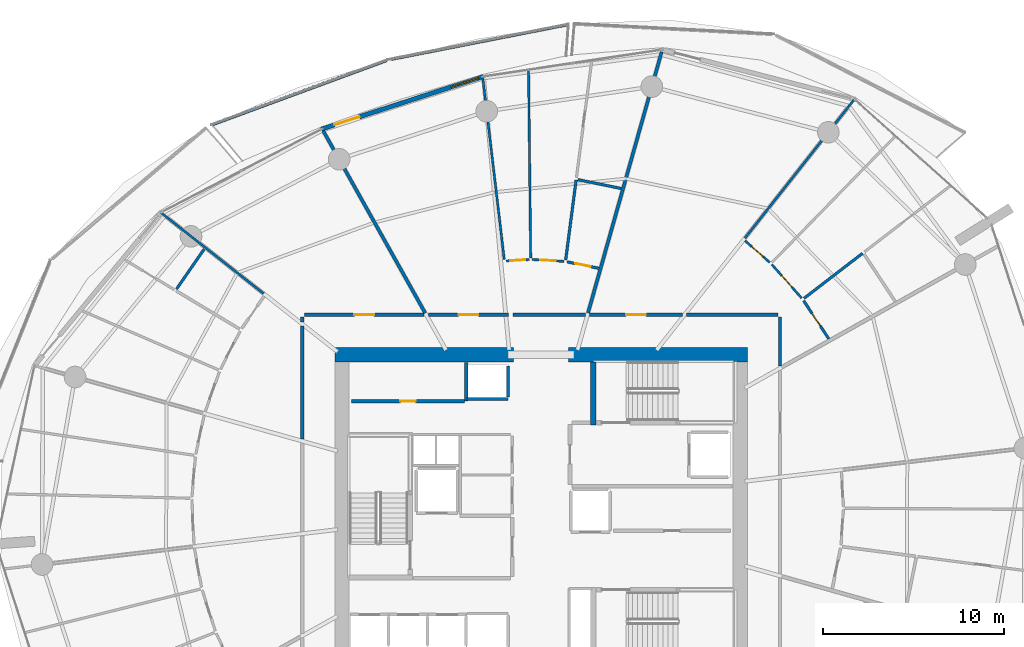
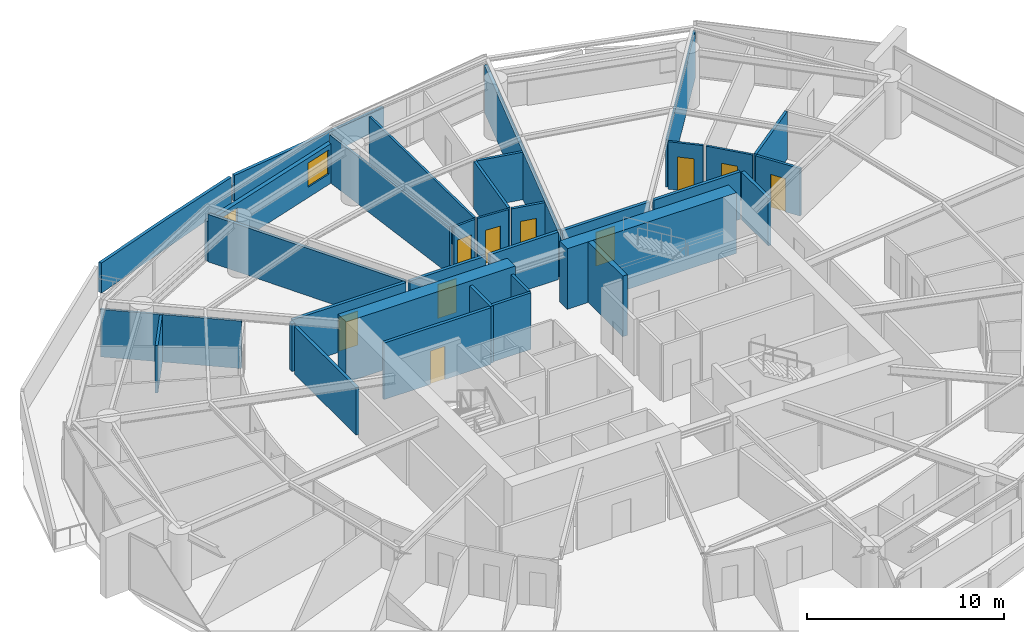
# One storey, part 15 of 23: 34 walls, 11 doors, 1 window, 12 openings.
"""IFC4 building model written with IfcOpenShell, lengths in metres."""

from ifc_helpers import new_model, si_unit, direction, frame, frame_2d, origin, place, context, subcontext, project, spatial, polyline, rectangle, outline, extrude, material, layer, layer_set, type_object, element, fill, save


model = new_model("IFC4")

# Units and contexts
model_context = context("Model", 3, precision=1e-05, world=origin(), true_north=direction((0.0, 1.0)))
body_context = subcontext(model_context, "Body", "Model", "MODEL_VIEW")
ifc_project = project(units=[si_unit("LENGTHUNIT", "METRE"), si_unit("AREAUNIT", "SQUARE_METRE"), si_unit("VOLUMEUNIT", "CUBIC_METRE"), si_unit("PLANEANGLEUNIT", "RADIAN"), si_unit("MASSUNIT", "GRAM", prefix="KILO")], contexts=[model_context])

# Site, building, storey
site_placement = place(None, origin())
site = spatial("IfcSite", under=ifc_project, at=site_placement, CompositionType="ELEMENT")
building_placement = place(site_placement, origin())
building = spatial("IfcBuilding", under=site, at=building_placement, Name="Kazma Halo Residences", CompositionType="ELEMENT")
storey_placement = place(building_placement, frame((0.0, 0.0, 82.64990234375)))
storey = spatial("IfcBuildingStorey", under=building, at=storey_placement, Name="L20", CompositionType="ELEMENT", Elevation=82.64990234375)

# Walls
ifc_material_1 = material(Name="White Concrete C50/60 Balustrade", Category="concrete")
ifc_layer_1 = layer(ifc_material_1, 0.179931640625)
ifc_layer_set_1 = layer_set([ifc_layer_1], Name="White Concrete C50/60 Balustrade")
wall_type_1 = type_object("IfcWallType", Name="WL-BAL-WAVE-180", PredefinedType="PARAPET", material=ifc_layer_set_1)
wall_1_placement = place(storey_placement, frame((49.936279296875, 68.685546875, 0.0), z_axis=(0.0, 0.0, 1.0), x_axis=(-0.98127943736, -0.192589370979, 0.0)))
element("IfcWall", 1, at=wall_1_placement, inside=storey, type_object=wall_type_1, Name="L20 white wave balustrade wall NNW.1", PredefinedType="PARAPET", context=body_context, shape_type="SweptSolid", body=[
    extrude(outline(polyline([(0.0, 0.0), (10.041259765625, 0.0), (10.041259765625, 1.632080078125), (5.0205078125, 1.418212890625), (0.0, 1.233154296875), (0.0, 0.0)])), frame((0.0, 0.08984375, 0.0), z_axis=(0.0, -1.0, 0.0), x_axis=(1.0, 0.0, 0.0)), (0.0, 0.0, 1.0), 0.179931640625),
])
wall_2_placement = place(storey_placement, frame((39.8525390625, 66.687255859375, 0.0), z_axis=(0.0, 0.0, 1.0), x_axis=(-0.938356460989, -0.345669136777, 0.0)))
element("IfcWall", 2, at=wall_2_placement, inside=storey, type_object=wall_type_1, Name="L20 white wave balustrade wall NNW.2", PredefinedType="PARAPET", context=body_context, shape_type="SweptSolid", body=[
    extrude(outline(polyline([(0.0, 0.0), (10.3076171875, 0.0), (10.3076171875, 1.860107421875), (5.15380859375, 1.798095703125), (0.0, 1.632080078125), (0.0, 0.0)])), frame((0.0, 0.08984375, 0.0), z_axis=(0.0, -1.0, 0.0), x_axis=(1.0, 0.0, 0.0)), (0.0, 0.0, 1.0), 0.179931640625),
])
ifc_material_2 = material(Name="Concrete C80/95", Category="concrete")
ifc_layer_2 = layer(ifc_material_2, 0.800048828125)
ifc_layer_set_2 = layer_set([ifc_layer_2], Name="Concrete C80/95")
wall_type_2 = type_object("IfcWallType", Name="WL-CORE-800", PredefinedType="SHEAR", material=ifc_layer_set_2)
wall_3_placement = place(storey_placement, frame((37.0, 50.39990234375, 0.0), z_axis=(0.0, 0.0, 1.0), x_axis=(1.0, 0.0, 0.0)))
element("IfcWall", 3, at=wall_3_placement, inside=storey, type_object=wall_type_2, Name="L20 central core shear wall NW", PredefinedType="SHEAR", context=body_context, shape_type="SweptSolid", body=[
    extrude(rectangle(XDim=9.89990234375, YDim=0.800048828125, at=frame_2d((4.949951171875, 0.0))), origin(), (0.0, 0.0, 1.0), 3.75),
])
wall_4_placement = place(storey_placement, frame((49.949951171875, 50.39990234375, 0.0), z_axis=(0.0, 0.0, 1.0), x_axis=(1.0, 0.0, 0.0)))
element("IfcWall", 4, at=wall_4_placement, inside=storey, type_object=wall_type_2, Name="L20 central core shear wall NE", PredefinedType="SHEAR", context=body_context, shape_type="SweptSolid", body=[
    extrude(rectangle(XDim=9.900146484375, YDim=0.800048828125, at=frame_2d((4.9501953125, 0.0))), origin(), (0.0, 0.0, 1.0), 3.75),
])
ifc_material_3 = material(Name="Concrete C60/75", Category="concrete")
ifc_layer_3 = layer(ifc_material_3, 0.280029296875)
ifc_layer_set_3 = layer_set([ifc_layer_3], Name="Concrete C60/75")
wall_type_3 = type_object("IfcWallType", Name="WL-CORE-ST-280", PredefinedType="SHEAR", material=ifc_layer_set_3)
wall_5_placement = place(storey_placement, frame((51.31005859375, 46.5, 0.0), z_axis=(0.0, 0.0, 1.0), x_axis=(0.0, 1.0, 0.0)))
element("IfcWall", 5, at=wall_5_placement, inside=storey, type_object=wall_type_3, Name="L20 stairwell bearing wall ST02-W", PredefinedType="SHEAR", context=body_context, shape_type="SweptSolid", body=[
    extrude(rectangle(XDim=3.5, YDim=0.280029296875, at=frame_2d((1.75, 0.0))), origin(), (0.0, 0.0, 1.0), 3.75),
])
ifc_material_4 = material(Name="Acoustic Twin-Stud Gypsum")
ifc_layer_4 = layer(ifc_material_4, 0.179931640625)
ifc_layer_set_4 = layer_set([ifc_layer_4], Name="Acoustic Twin-Stud Gypsum")
wall_type_4 = type_object("IfcWallType", Name="WL-DEM-180", PredefinedType="PARTITIONING", material=ifc_layer_set_4)
wall_6_placement = place(storey_placement, frame((51.019287109375, 52.705810546875, 0.0), z_axis=(0.0, 0.0, 1.0), x_axis=(0.271450895995, 0.962452290279, 0.0)))
element("IfcWall", 6, at=wall_6_placement, inside=storey, type_object=wall_type_4, Name="L20 apartment demising radial wall 02", PredefinedType="PARTITIONING", context=body_context, shape_type="SweptSolid", body=[
    extrude(rectangle(XDim=15.014404296875, YDim=0.179931640625, at=frame_2d((7.50732421875, 0.0))), origin(), (0.0, 0.0, 1.0), 2.940185546875),
])
wall_7_placement = place(storey_placement, frame((42.010009765625, 52.696044921875, 0.0), z_axis=(0.0, 0.0, 1.0), x_axis=(-0.488628442553, 0.872491974249, 0.0)))
element("IfcWall", 7, at=wall_7_placement, inside=storey, type_object=wall_type_4, Name="L20 apartment demising radial wall 04", PredefinedType="PARTITIONING", context=body_context, shape_type="SweptSolid", body=[
    extrude(rectangle(XDim=11.563232421875, YDim=0.179931640625, at=frame_2d((5.78173828125, 0.0))), origin(), (0.0, 0.0, 1.0), 2.940185546875),
])

# Wall, opening, door
wall_8_placement = place(storey_placement, frame((41.943603515625, 52.60009765625, 0.0), z_axis=(0.0, 0.0, 1.0), x_axis=(-1.0, 0.0, 0.0)))
wall_8 = element("IfcWall", 8, at=wall_8_placement, inside=storey, type_object=wall_type_4, Name="L20 Apartment 1 entrance corridor wall", PredefinedType="PARTITIONING", context=body_context, shape_type="SweptSolid", body=[
    extrude(rectangle(XDim=6.62353515625, YDim=0.179931640625, at=frame_2d((3.311767578125, 0.0))), origin(), (0.0, 0.0, 1.0), 2.940185546875),
])
opening_1_placement = place(wall_8_placement, frame((2.76171875, 0.0, 0.0)))
opening_1 = element("IfcOpeningElement", 9, at=opening_1_placement, cuts=wall_8, Name="Opening DA-1100", PredefinedType="OPENING", context=body_context, shape_type="SweptSolid", body=[
    extrude(rectangle(XDim=1.10009765625, YDim=2.10009765625, at=frame_2d((0.550048828125, 1.050048828125))), frame((0.0, 0.099853515625, 0.0), z_axis=(0.0, -1.0, 0.0), x_axis=(1.0, 0.0, 0.0)), (0.0, 0.0, 1.0), 0.199951171875),
])
ifc_material_5 = material(Name="Acoustic Walnut Fire Leaf")
door_type_1 = type_object("IfcDoorType", Name="DR-FD60-1100", OperationType="NOTDEFINED", PredefinedType="DOOR", material=ifc_material_5)
door_1_placement = place(opening_1_placement, origin())
door_1 = element("IfcDoor", 10, at=door_1_placement, inside=storey, type_object=door_type_1, Name="L20 Apartment 1 entrance fire door", OperationType="SINGLE_SWING_RIGHT", OverallHeight=2.10009765625, OverallWidth=1.10009765625, PredefinedType="DOOR", context=body_context, shape_type="SweptSolid", body=[
    extrude(rectangle(XDim=1.10009765625, YDim=2.10009765625, at=frame_2d((0.550048828125, 1.050048828125))), frame((0.0, 0.02490234375, 0.0), z_axis=(0.0, -1.0, 0.0), x_axis=(1.0, 0.0, 0.0)), (0.0, 0.0, 1.0), 0.050048828125),
])
fill(opening_1, door_1)

# Walls
wall_9_placement = place(storey_placement, frame((35.199951171875, 52.47998046875, 0.0), z_axis=(0.0, 0.0, 1.0), x_axis=(0.0, -1.0, 0.0)))
element("IfcWall", 11, at=wall_9_placement, inside=storey, type_object=wall_type_4, Name="L20 Apartment 1 entrance corridor wall", PredefinedType="PARTITIONING", context=body_context, shape_type="SweptSolid", body=[
    extrude(rectangle(XDim=0.269287109375, YDim=0.179931640625, at=frame_2d((0.134765625, 0.0))), origin(), (0.0, 0.0, 1.0), 2.940185546875),
])
wall_10_placement = place(storey_placement, frame((35.199951171875, 51.970703125, 0.0), z_axis=(0.0, 0.0, 1.0), x_axis=(0.0, -1.0, 0.0)))
element("IfcWall", 12, at=wall_10_placement, inside=storey, type_object=wall_type_4, Name="L20 Apartment 1 inner wall 5", PredefinedType="PARTITIONING", context=body_context, shape_type="SweptSolid", body=[
    extrude(rectangle(XDim=6.24072265625, YDim=0.179931640625, at=frame_2d((3.120361328125, 0.0))), origin(), (0.0, 0.0, 1.0), 2.940185546875),
])

# Wall, opening, door
wall_11_placement = place(storey_placement, frame((56.236328125, 52.60009765625, 0.0), z_axis=(0.0, 0.0, 1.0), x_axis=(-1.0, 0.0, 0.0)))
wall_11 = element("IfcWall", 13, at=wall_11_placement, inside=storey, type_object=wall_type_4, Name="L20 Apartment 5 entrance corridor wall", PredefinedType="PARTITIONING", context=body_context, shape_type="SweptSolid", body=[
    extrude(rectangle(XDim=5.126708984375, YDim=0.179931640625, at=frame_2d((2.5634765625, 0.0))), origin(), (0.0, 0.0, 1.0), 2.940185546875),
])
opening_2_placement = place(wall_11_placement, frame((2.013427734375, 0.0, 0.0)))
opening_2 = element("IfcOpeningElement", 14, at=opening_2_placement, cuts=wall_11, Name="Opening DA-1100", PredefinedType="OPENING", context=body_context, shape_type="SweptSolid", body=[
    extrude(rectangle(XDim=1.10009765625, YDim=2.10009765625, at=frame_2d((0.550048828125, 1.050048828125))), frame((0.0, 0.099853515625, 0.0), z_axis=(0.0, -1.0, 0.0), x_axis=(1.0, 0.0, 0.0)), (0.0, 0.0, 1.0), 0.199951171875),
])
door_2_placement = place(opening_2_placement, origin())
door_2 = element("IfcDoor", 15, at=door_2_placement, inside=storey, type_object=door_type_1, Name="L20 Apartment 5 entrance fire door", OperationType="SINGLE_SWING_RIGHT", OverallHeight=2.10009765625, OverallWidth=1.10009765625, PredefinedType="DOOR", context=body_context, shape_type="SweptSolid", body=[
    extrude(rectangle(XDim=1.10009765625, YDim=2.10009765625, at=frame_2d((0.550048828125, 1.050048828125))), frame((0.0, 0.02490234375, 0.0), z_axis=(0.0, -1.0, 0.0), x_axis=(1.0, 0.0, 0.0)), (0.0, 0.0, 1.0), 0.050048828125),
])
fill(opening_2, door_2)

# Walls
wall_12_placement = place(storey_placement, frame((61.64990234375, 49.764404296875, 0.0), z_axis=(0.0, 0.0, 1.0), x_axis=(0.0, 1.0, 0.0)))
element("IfcWall", 16, at=wall_12_placement, inside=storey, type_object=wall_type_4, Name="L20 Apartment 5 inner wall 0", PredefinedType="PARTITIONING", context=body_context, shape_type="SweptSolid", body=[
    extrude(rectangle(XDim=2.715576171875, YDim=0.179931640625, at=frame_2d((1.35791015625, 0.0))), origin(), (0.0, 0.0, 1.0), 2.940185546875),
])
wall_13_placement = place(storey_placement, frame((61.530029296875, 52.60009765625, 0.0), z_axis=(0.0, 0.0, 1.0), x_axis=(-1.0, 0.0, 0.0)))
element("IfcWall", 17, at=wall_13_placement, inside=storey, type_object=wall_type_4, Name="L20 Apartment 5 inner wall 0", PredefinedType="PARTITIONING", context=body_context, shape_type="SweptSolid", body=[
    extrude(rectangle(XDim=5.0537109375, YDim=0.179931640625, at=frame_2d((2.52685546875, 0.0))), origin(), (0.0, 0.0, 1.0), 2.940185546875),
])

# Wall, opening, door
wall_14_placement = place(storey_placement, frame((46.62548828125, 52.60009765625, 0.0), z_axis=(0.0, 0.0, 1.0), x_axis=(-1.0, 0.0, 0.0)))
wall_14 = element("IfcWall", 18, at=wall_14_placement, inside=storey, type_object=wall_type_4, Name="L20 Apartment 6 entrance corridor wall", PredefinedType="PARTITIONING", context=body_context, shape_type="SweptSolid", body=[
    extrude(rectangle(XDim=4.44189453125, YDim=0.179931640625, at=frame_2d((2.220947265625, 0.0))), origin(), (0.0, 0.0, 1.0), 2.940185546875),
])
opening_3_placement = place(wall_14_placement, frame((1.6708984375, 0.0, 0.0)))
opening_3 = element("IfcOpeningElement", 19, at=opening_3_placement, cuts=wall_14, Name="Opening DA-1100", PredefinedType="OPENING", context=body_context, shape_type="SweptSolid", body=[
    extrude(rectangle(XDim=1.10009765625, YDim=2.10009765625, at=frame_2d((0.550048828125, 1.050048828125))), frame((0.0, 0.099853515625, 0.0), z_axis=(0.0, -1.0, 0.0), x_axis=(1.0, 0.0, 0.0)), (0.0, 0.0, 1.0), 0.199951171875),
])
door_3_placement = place(opening_3_placement, origin())
door_3 = element("IfcDoor", 20, at=door_3_placement, inside=storey, type_object=door_type_1, Name="L20 Apartment 6 entrance fire door", OperationType="SINGLE_SWING_LEFT", OverallHeight=2.10009765625, OverallWidth=1.10009765625, PredefinedType="DOOR", context=body_context, shape_type="SweptSolid", body=[
    extrude(rectangle(XDim=1.10009765625, YDim=2.10009765625, at=frame_2d((0.550048828125, 1.050048828125))), frame((0.0, 0.02490234375, 0.0), z_axis=(0.0, -1.0, 0.0), x_axis=(1.0, 0.0, 0.0)), (0.0, 0.0, 1.0), 0.050048828125),
])
fill(opening_3, door_3)

# Wall
wall_15_placement = place(storey_placement, frame((50.869384765625, 52.60009765625, 0.0), z_axis=(0.0, 0.0, 1.0), x_axis=(-1.0, 0.0, 0.0)))
element("IfcWall", 21, at=wall_15_placement, inside=storey, type_object=wall_type_4, Name="L20 Apartment 6 inner wall 2", PredefinedType="PARTITIONING", context=body_context, shape_type="SweptSolid", body=[
    extrude(rectangle(XDim=4.00390625, YDim=0.179931640625, at=frame_2d((2.001953125, 0.0))), origin(), (0.0, 0.0, 1.0), 2.940185546875),
])

# Wall, openings, door, window
ifc_material_6 = material(Name="Insulated Pale-Metal Composite Wall")
ifc_layer_5 = layer(ifc_material_6, 0.239990234375)
ifc_layer_set_5 = layer_set([ifc_layer_5], Name="Insulated Pale-Metal Composite Wall")
wall_type_5 = type_object("IfcWallType", Name="WL-EXT-HOST-240", PredefinedType="SOLIDWALL", material=ifc_layer_set_5)
wall_16_placement = place(storey_placement, frame((45.23291015625, 65.797119140625, 0.0), z_axis=(0.0, 0.0, 1.0), x_axis=(-0.951052494852, -0.30902937083, 0.0)))
wall_16 = element("IfcWall", 22, at=wall_16_placement, inside=storey, type_object=wall_type_5, Name="L20 exterior terrace-access wall B04", PredefinedType="SOLIDWALL", context=body_context, shape_type="SweptSolid", body=[
    extrude(rectangle(XDim=9.44384765625, YDim=0.239990234375, at=frame_2d((4.721923828125, 0.0))), origin(), (0.0, 0.0, 1.0), 2.4501953125),
])
opening_4_placement = place(wall_16_placement, frame((7.223876953125, 0.0, 0.0)))
opening_4 = element("IfcOpeningElement", 23, at=opening_4_placement, cuts=wall_16, Name="Opening DTR-1600", PredefinedType="OPENING", context=body_context, shape_type="SweptSolid", body=[
    extrude(rectangle(XDim=1.449951171875, YDim=2.14990234375, at=frame_2d((0.72509765625, 1.074951171875))), frame((0.0, 0.1298828125, 0.0), z_axis=(0.0, -1.0, 0.0), x_axis=(1.0, 0.0, 0.0)), (0.0, 0.0, 1.0), 0.260009765625),
])
opening_5_placement = place(wall_16_placement, frame((0.280029296875, 0.0, 0.64990234375)))
opening_5 = element("IfcOpeningElement", 24, at=opening_5_placement, cuts=wall_16, Name="Opening W-1800", PredefinedType="OPENING", context=body_context, shape_type="SweptSolid", body=[
    extrude(rectangle(XDim=1.60009765625, YDim=1.5, at=frame_2d((0.800048828125, 0.75))), frame((0.0, 0.1298828125, 0.0), z_axis=(0.0, -1.0, 0.0), x_axis=(1.0, 0.0, 0.0)), (0.0, 0.0, 1.0), 0.260009765625),
])
ifc_material_7 = material(Name="Aluminium AW-6063 T6 Double-Glazed Terrace Door", Category="aluminium")
door_type_2 = type_object("IfcDoorType", Name="DR-EXT-TERR-1600", OperationType="NOTDEFINED", PredefinedType="DOOR", material=ifc_material_7)
door_4_placement = place(opening_4_placement, origin())
door_4 = element("IfcDoor", 25, at=door_4_placement, inside=storey, type_object=door_type_2, Name="L20 B04 balcony terrace door", OperationType="DOUBLE_DOOR_SLIDING", OverallHeight=2.14990234375, OverallWidth=1.449951171875, PredefinedType="DOOR", context=body_context, shape_type="SweptSolid", body=[
    extrude(rectangle(XDim=1.449951171875, YDim=2.14990234375, at=frame_2d((0.72509765625, 1.074951171875))), frame((0.0, 0.02490234375, 0.0), z_axis=(0.0, -1.0, 0.0), x_axis=(1.0, 0.0, 0.0)), (0.0, 0.0, 1.0), 0.050048828125),
])
fill(opening_4, door_4)
ifc_material_8 = material(Name="Clear Triple-Silver Low-E Glass in Aluminium AW-6063 T6 Frame", Category="aluminium")
window_type = type_object("IfcWindowType", Name="WIN-RES-1800", PartitioningType="DOUBLE_PANEL_VERTICAL", PredefinedType="WINDOW", material=ifc_material_8)
window_placement = place(opening_5_placement, origin())
window = element("IfcWindow", 26, at=window_placement, inside=storey, type_object=window_type, Name="L20 B04 apartment window", OverallHeight=1.5, OverallWidth=1.60009765625, PartitioningType="SINGLE_PANEL", PredefinedType="WINDOW", context=body_context, shape_type="SweptSolid", body=[
    extrude(rectangle(XDim=1.60009765625, YDim=1.5, at=frame_2d((0.800048828125, 0.75))), frame((0.0, 0.030029296875, 0.0), z_axis=(0.0, -1.0, 0.0), x_axis=(1.0, 0.0, 0.0)), (0.0, 0.0, 1.0), 0.06005859375),
])
fill(opening_5, window)

# Walls
ifc_material_9 = material(Name="Fire-Rated Blockwork Masonry", Category="masonry")
ifc_layer_6 = layer(ifc_material_9, 0.199951171875)
ifc_layer_set_6 = layer_set([ifc_layer_6], Name="Fire-Rated Blockwork Masonry")
wall_type_6 = type_object("IfcWallType", Name="WL-FLB-200", PredefinedType="PARTITIONING", material=ifc_layer_set_6)
wall_17_placement = place(storey_placement, frame((46.580078125, 47.945068359375, 0.0), z_axis=(0.0, 0.0, 1.0), x_axis=(-1.0, 0.0, 0.0)))
element("IfcWall", 27, at=wall_17_placement, inside=storey, type_object=wall_type_6, Name="L20 lift shaft PX-01 front wall", PredefinedType="PARTITIONING", context=body_context, shape_type="SweptSolid", body=[
    extrude(rectangle(XDim=2.260009765625, YDim=0.159912109375, at=frame_2d((1.1298828125, 0.0))), origin(), (0.0, 0.0, 1.0), 3.5),
])
wall_18_placement = place(storey_placement, frame((46.580078125, 48.044921875, 0.0), z_axis=(0.0, 0.0, 1.0), x_axis=(0.0, 1.0, 0.0)))
element("IfcWall", 28, at=wall_18_placement, inside=storey, type_object=wall_type_6, Name="L20 lift shaft PX-01 side wall E", PredefinedType="PARTITIONING", context=body_context, shape_type="SweptSolid", body=[
    extrude(rectangle(XDim=1.7099609375, YDim=0.159912109375, at=frame_2d((0.85498046875, 0.0))), origin(), (0.0, 0.0, 1.0), 3.5),
])

# Wall, opening, door
wall_19_placement = place(storey_placement, frame((37.919921875, 47.820068359375, 0.0), z_axis=(0.0, 0.0, 1.0), x_axis=(1.0, 0.0, 0.0)))
wall_19 = element("IfcWall", 29, at=wall_19_placement, inside=storey, type_object=wall_type_6, Name="L20 core north reserve wall", PredefinedType="PARTITIONING", context=body_context, shape_type="SweptSolid", body=[
    extrude(rectangle(XDim=6.260009765625, YDim=0.179931640625, at=frame_2d((3.1298828125, 0.0))), origin(), (0.0, 0.0, 1.0), 3.5),
])
opening_6_placement = place(wall_19_placement, frame((2.705078125, 0.0, 0.0)))
opening_6 = element("IfcOpeningElement", 30, at=opening_6_placement, cuts=wall_19, Name="Opening DS-850", PredefinedType="OPENING", context=body_context, shape_type="SweptSolid", body=[
    extrude(rectangle(XDim=0.85009765625, YDim=2.06005859375, at=frame_2d((0.425048828125, 1.030029296875))), frame((0.0, 0.099853515625, 0.0), z_axis=(0.0, -1.0, 0.0), x_axis=(1.0, 0.0, 0.0)), (0.0, 0.0, 1.0), 0.199951171875),
])
ifc_material_10 = material(Name="Painted Steel Access Leaf", Category="steel")
door_type_3 = type_object("IfcDoorType", Name="DR-SVC-850", OperationType="NOTDEFINED", PredefinedType="DOOR", material=ifc_material_10)
door_5_placement = place(opening_6_placement, origin())
door_5 = element("IfcDoor", 31, at=door_5_placement, inside=storey, type_object=door_type_3, Name="L20 core north reserve door", OperationType="SINGLE_SWING_RIGHT", OverallHeight=2.06005859375, OverallWidth=0.85009765625, PredefinedType="DOOR", context=body_context, shape_type="SweptSolid", body=[
    extrude(rectangle(XDim=0.85009765625, YDim=2.06005859375, at=frame_2d((0.425048828125, 1.030029296875))), frame((0.0, 0.02490234375, 0.0), z_axis=(0.0, -1.0, 0.0), x_axis=(1.0, 0.0, 0.0)), (0.0, 0.0, 1.0), 0.050048828125),
])
fill(opening_6, door_5)

# Walls
wall_20_placement = place(storey_placement, frame((44.280029296875, 47.820068359375, 0.0), z_axis=(0.0, 0.0, 1.0), x_axis=(0.0, 1.0, 0.0)))
element("IfcWall", 32, at=wall_20_placement, inside=storey, type_object=wall_type_6, Name="L20 PX-01 hoistway west wall", PredefinedType="PARTITIONING", context=body_context, shape_type="SweptSolid", body=[
    extrude(rectangle(XDim=2.1298828125, YDim=0.179931640625, at=frame_2d((1.06494140625, 0.0))), origin(), (0.0, 0.0, 1.0), 3.5),
])
ifc_material_11 = material(Name="Gypsum Plasterboard Partition")
ifc_layer_7 = layer(ifc_material_11, 0.125)
ifc_layer_set_7 = layer_set([ifc_layer_7], Name="Gypsum Plasterboard Partition")
wall_type_7 = type_object("IfcWallType", Name="WL-PART-125", PredefinedType="PARTITIONING", material=ifc_layer_set_7)
wall_21_placement = place(storey_placement, frame((33.064208984375, 53.7744140625, 0.0), z_axis=(0.0, 0.0, 1.0), x_axis=(-0.785299836557, 0.61911563274, 0.0)))
element("IfcWall", 33, at=wall_21_placement, inside=storey, type_object=wall_type_7, Name="L20 Apartment 1 radial partition 5", PredefinedType="PARTITIONING", context=body_context, shape_type="SweptSolid", body=[
    extrude(rectangle(XDim=7.21923828125, YDim=0.125, at=frame_2d((3.609619140625, 0.0))), origin(), (0.0, 0.0, 1.0), 2.940185546875),
])
wall_22_placement = place(storey_placement, frame((59.7021484375, 56.843994140625, 0.0), z_axis=(0.0, 0.0, 1.0), x_axis=(0.619083405129, 0.785325243128, 0.0)))
element("IfcWall", 34, at=wall_22_placement, inside=storey, type_object=wall_type_7, Name="L20 Apartment 5 living radial partition 0", PredefinedType="PARTITIONING", context=body_context, shape_type="SweptSolid", body=[
    extrude(rectangle(XDim=9.76904296875, YDim=0.125, at=frame_2d((4.884521484375, 0.0))), origin(), (0.0, 0.0, 1.0), 2.940185546875),
])

# Wall, opening, door
wall_23_placement = place(storey_placement, frame((62.84619140625, 53.52685546875, 0.0), z_axis=(0.0, 0.0, 1.0), x_axis=(-0.663881646848, 0.747837655497, 0.0)))
wall_23 = element("IfcWall", 35, at=wall_23_placement, inside=storey, type_object=wall_type_7, Name="L20 Apartment 5 Gourmet Kitchen hall wall", PredefinedType="PARTITIONING", context=body_context, shape_type="SweptSolid", body=[
    extrude(rectangle(XDim=2.4833984375, YDim=0.125, at=frame_2d((1.24169921875, 0.0))), origin(), (0.0, 0.0, 1.0), 2.940185546875),
])
opening_7_placement = place(wall_23_placement, frame((0.816650390625, 0.0, 0.0)))
opening_7 = element("IfcOpeningElement", 36, at=opening_7_placement, cuts=wall_23, Name="Opening DB-900", PredefinedType="OPENING", context=body_context, shape_type="SweptSolid", body=[
    extrude(rectangle(XDim=0.85009765625, YDim=2.06005859375, at=frame_2d((0.425048828125, 1.030029296875))), frame((0.0, 0.072509765625, 0.0), z_axis=(0.0, -1.0, 0.0), x_axis=(1.0, 0.0, 0.0)), (0.0, 0.0, 1.0), 0.14501953125),
])
ifc_material_12 = material(Name="Moisture-Sealed Timber Leaf", Category="wood")
door_type_4 = type_object("IfcDoorType", Name="DR-BTH-900", OperationType="NOTDEFINED", PredefinedType="DOOR", material=ifc_material_12)
door_6_placement = place(opening_7_placement, origin())
door_6 = element("IfcDoor", 37, at=door_6_placement, inside=storey, type_object=door_type_4, Name="L20 Apartment 5 Gourmet Kitchen door", OperationType="SINGLE_SWING_LEFT", OverallHeight=2.06005859375, OverallWidth=0.85009765625, PredefinedType="DOOR", context=body_context, shape_type="SweptSolid", body=[
    extrude(rectangle(XDim=0.85009765625, YDim=2.06005859375, at=frame_2d((0.425048828125, 1.030029296875))), frame((0.0, 0.02490234375, 0.0), z_axis=(0.0, -1.0, 0.0), x_axis=(1.0, 0.0, 0.0)), (0.0, 0.0, 1.0), 0.050048828125),
])
fill(opening_7, door_6)

wall_24_placement = place(storey_placement, frame((61.08447265625, 55.49658203125, 0.0), z_axis=(0.0, 0.0, 1.0), x_axis=(-0.75124742024, 0.660020691784, 0.0)))
wall_24 = element("IfcWall", 38, at=wall_24_placement, inside=storey, type_object=wall_type_7, Name="L20 Apartment 5 Primary Bedroom hall wall", PredefinedType="PARTITIONING", context=body_context, shape_type="SweptSolid", body=[
    extrude(rectangle(XDim=1.822509765625, YDim=0.125, at=frame_2d((0.9111328125, 0.0))), origin(), (0.0, 0.0, 1.0), 2.940185546875),
])
opening_8_placement = place(wall_24_placement, frame((0.486083984375, 0.0, 0.0)))
opening_8 = element("IfcOpeningElement", 39, at=opening_8_placement, cuts=wall_24, Name="Opening DB-900", PredefinedType="OPENING", context=body_context, shape_type="SweptSolid", body=[
    extrude(rectangle(XDim=0.85009765625, YDim=2.06005859375, at=frame_2d((0.425048828125, 1.030029296875))), frame((0.0, 0.072509765625, 0.0), z_axis=(0.0, -1.0, 0.0), x_axis=(1.0, 0.0, 0.0)), (0.0, 0.0, 1.0), 0.14501953125),
])
door_7_placement = place(opening_8_placement, origin())
door_7 = element("IfcDoor", 40, at=door_7_placement, inside=storey, type_object=door_type_4, Name="L20 Apartment 5 Primary Bedroom door", OperationType="SINGLE_SWING_RIGHT", OverallHeight=2.06005859375, OverallWidth=0.85009765625, PredefinedType="DOOR", context=body_context, shape_type="SweptSolid", body=[
    extrude(rectangle(XDim=0.85009765625, YDim=2.06005859375, at=frame_2d((0.425048828125, 1.030029296875))), frame((0.0, 0.02490234375, 0.0), z_axis=(0.0, -1.0, 0.0), x_axis=(1.0, 0.0, 0.0)), (0.0, 0.0, 1.0), 0.050048828125),
])
fill(opening_8, door_7)

# Walls
wall_25_placement = place(storey_placement, frame((46.381591796875, 55.673583984375, 0.0), z_axis=(0.0, 0.0, 1.0), x_axis=(-0.117533197276, 0.99306895407, 0.0)))
element("IfcWall", 41, at=wall_25_placement, inside=storey, type_object=wall_type_7, Name="L20 Apartment 6 living radial partition 2", PredefinedType="PARTITIONING", context=body_context, shape_type="SweptSolid", body=[
    extrude(rectangle(XDim=10.1533203125, YDim=0.125, at=frame_2d((5.07666015625, 0.0))), origin(), (0.0, 0.0, 1.0), 2.940185546875),
])
wall_26_placement = place(storey_placement, frame((47.84521484375, 55.758056640625, 0.0), z_axis=(0.0, 0.0, 1.0), x_axis=(-0.011264572172, 0.999936552694, 0.0)))
element("IfcWall", 42, at=wall_26_placement, inside=storey, type_object=wall_type_7, Name="L20 Apartment 6 suite divider 2", PredefinedType="PARTITIONING", context=body_context, shape_type="SweptSolid", body=[
    extrude(rectangle(XDim=10.381591796875, YDim=0.125, at=frame_2d((5.19091796875, 0.0))), origin(), (0.0, 0.0, 1.0), 2.940185546875),
])

# Wall, opening, door
wall_27_placement = place(storey_placement, frame((49.681884765625, 55.55908203125, 0.0), z_axis=(0.0, 0.0, 1.0), x_axis=(-0.99824215698, 0.059267158097, 0.0)))
wall_27 = element("IfcWall", 43, at=wall_27_placement, inside=storey, type_object=wall_type_7, Name="L20 Apartment 6 Gourmet Kitchen hall wall", PredefinedType="PARTITIONING", context=body_context, shape_type="SweptSolid", body=[
    extrude(rectangle(XDim=1.759033203125, YDim=0.125, at=frame_2d((0.87939453125, 0.0))), origin(), (0.0, 0.0, 1.0), 2.940185546875),
])
opening_9_placement = place(wall_27_placement, frame((0.45458984375, 0.0, 0.0)))
opening_9 = element("IfcOpeningElement", 44, at=opening_9_placement, cuts=wall_27, Name="Opening DB-900", PredefinedType="OPENING", context=body_context, shape_type="SweptSolid", body=[
    extrude(rectangle(XDim=0.85009765625, YDim=2.06005859375, at=frame_2d((0.425048828125, 1.030029296875))), frame((0.0, 0.072509765625, 0.0), z_axis=(0.0, -1.0, 0.0), x_axis=(1.0, 0.0, 0.0)), (0.0, 0.0, 1.0), 0.14501953125),
])
door_8_placement = place(opening_9_placement, origin())
door_8 = element("IfcDoor", 45, at=door_8_placement, inside=storey, type_object=door_type_4, Name="L20 Apartment 6 Gourmet Kitchen door", OperationType="SINGLE_SWING_LEFT", OverallHeight=2.06005859375, OverallWidth=0.85009765625, PredefinedType="DOOR", context=body_context, shape_type="SweptSolid", body=[
    extrude(rectangle(XDim=0.85009765625, YDim=2.06005859375, at=frame_2d((0.425048828125, 1.030029296875))), frame((0.0, 0.02490234375, 0.0), z_axis=(0.0, -1.0, 0.0), x_axis=(1.0, 0.0, 0.0)), (0.0, 0.0, 1.0), 0.050048828125),
])
fill(opening_9, door_8)

wall_28_placement = place(storey_placement, frame((47.766357421875, 55.662841796875, 0.0), z_axis=(0.0, 0.0, 1.0), x_axis=(-0.997930857608, -0.064296216329, 0.0)))
wall_28 = element("IfcWall", 46, at=wall_28_placement, inside=storey, type_object=wall_type_7, Name="L20 Apartment 6 Primary Bedroom hall wall", PredefinedType="PARTITIONING", context=body_context, shape_type="SweptSolid", body=[
    extrude(rectangle(XDim=1.27587890625, YDim=0.125, at=frame_2d((0.637939453125, 0.0))), origin(), (0.0, 0.0, 1.0), 2.940185546875),
])
opening_10_placement = place(wall_28_placement, frame((0.212890625, 0.0, 0.0)))
opening_10 = element("IfcOpeningElement", 47, at=opening_10_placement, cuts=wall_28, Name="Opening DB-900", PredefinedType="OPENING", context=body_context, shape_type="SweptSolid", body=[
    extrude(rectangle(XDim=0.85009765625, YDim=2.06005859375, at=frame_2d((0.425048828125, 1.030029296875))), frame((0.0, 0.072509765625, 0.0), z_axis=(0.0, -1.0, 0.0), x_axis=(1.0, 0.0, 0.0)), (0.0, 0.0, 1.0), 0.14501953125),
])
door_9_placement = place(opening_10_placement, origin())
door_9 = element("IfcDoor", 48, at=door_9_placement, inside=storey, type_object=door_type_4, Name="L20 Apartment 6 Primary Bedroom door", OperationType="SINGLE_SWING_RIGHT", OverallHeight=2.06005859375, OverallWidth=0.85009765625, PredefinedType="DOOR", context=body_context, shape_type="SweptSolid", body=[
    extrude(rectangle(XDim=0.85009765625, YDim=2.06005859375, at=frame_2d((0.425048828125, 1.030029296875))), frame((0.0, 0.02490234375, 0.0), z_axis=(0.0, -1.0, 0.0), x_axis=(1.0, 0.0, 0.0)), (0.0, 0.0, 1.0), 0.050048828125),
])
fill(opening_10, door_9)

# Wall
ifc_material_13 = material(Name="Moisture-Resistant Gypsum")
ifc_layer_8 = layer(ifc_material_13, 0.14990234375)
ifc_layer_set_8 = layer_set([ifc_layer_8], Name="Moisture-Resistant Gypsum")
wall_type_8 = type_object("IfcWallType", Name="WL-WET-150", PredefinedType="PARTITIONING", material=ifc_layer_set_8)
wall_29_placement = place(storey_placement, frame((29.771728515625, 56.242919921875, 0.0), z_axis=(0.0, 0.0, 1.0), x_axis=(-0.568904038121, -0.822403912569, 0.0)))
element("IfcWall", 49, at=wall_29_placement, inside=storey, type_object=wall_type_8, Name="L20 Apartment 1 Guest Bathroom back wall", PredefinedType="PARTITIONING", context=body_context, shape_type="SweptSolid", body=[
    extrude(rectangle(XDim=2.697509765625, YDim=0.14990234375, at=frame_2d((1.3486328125, 0.0))), origin(), (0.0, 0.0, 1.0), 2.940185546875),
])

# Wall, opening, door
wall_30_placement = place(storey_placement, frame((64.349609375, 51.2705078125, 0.0), z_axis=(0.0, 0.0, 1.0), x_axis=(-0.550510405652, 0.83482830167, 0.0)))
wall_30 = element("IfcWall", 50, at=wall_30_placement, inside=storey, type_object=wall_type_8, Name="L20 Apartment 5 Guest Bathroom hall wall", PredefinedType="PARTITIONING", context=body_context, shape_type="SweptSolid", body=[
    extrude(rectangle(XDim=2.5322265625, YDim=0.14990234375, at=frame_2d((1.26611328125, 0.0))), origin(), (0.0, 0.0, 1.0), 2.940185546875),
])
opening_11_placement = place(wall_30_placement, frame((0.841064453125, 0.0, 0.0)))
opening_11 = element("IfcOpeningElement", 51, at=opening_11_placement, cuts=wall_30, Name="Opening DB-900", PredefinedType="OPENING", context=body_context, shape_type="SweptSolid", body=[
    extrude(rectangle(XDim=0.85009765625, YDim=2.06005859375, at=frame_2d((0.425048828125, 1.030029296875))), frame((0.0, 0.0849609375, 0.0), z_axis=(0.0, -1.0, 0.0), x_axis=(1.0, 0.0, 0.0)), (0.0, 0.0, 1.0), 0.169921875),
])
door_10_placement = place(opening_11_placement, origin())
door_10 = element("IfcDoor", 52, at=door_10_placement, inside=storey, type_object=door_type_4, Name="L20 Apartment 5 Guest Bathroom door", OperationType="SINGLE_SWING_LEFT", OverallHeight=2.06005859375, OverallWidth=0.85009765625, PredefinedType="DOOR", context=body_context, shape_type="SweptSolid", body=[
    extrude(rectangle(XDim=0.85009765625, YDim=2.06005859375, at=frame_2d((0.425048828125, 1.030029296875))), frame((0.0, 0.02490234375, 0.0), z_axis=(0.0, -1.0, 0.0), x_axis=(1.0, 0.0, 0.0)), (0.0, 0.0, 1.0), 0.050048828125),
])
fill(opening_11, door_10)

# Wall
wall_31_placement = place(storey_placement, frame((62.9775390625, 53.514404296875, 0.0), z_axis=(0.0, 0.0, 1.0), x_axis=(0.792801485355, 0.609479946199, 0.0)))
element("IfcWall", 53, at=wall_31_placement, inside=storey, type_object=wall_type_8, Name="L20 Apartment 5 Guest Bathroom side wall", PredefinedType="PARTITIONING", context=body_context, shape_type="SweptSolid", body=[
    extrude(rectangle(XDim=4.08984375, YDim=0.14990234375, at=frame_2d((2.044921875, 0.0))), origin(), (0.0, 0.0, 1.0), 2.940185546875),
])

# Wall, opening, door
wall_32_placement = place(storey_placement, frame((51.6123046875, 55.17578125, 0.0), z_axis=(0.0, 0.0, 1.0), x_axis=(-0.979559973395, 0.201152326663, 0.0)))
wall_32 = element("IfcWall", 54, at=wall_32_placement, inside=storey, type_object=wall_type_8, Name="L20 Apartment 6 Guest Bathroom hall wall", PredefinedType="PARTITIONING", context=body_context, shape_type="SweptSolid", body=[
    extrude(rectangle(XDim=1.7890625, YDim=0.14990234375, at=frame_2d((0.89453125, 0.0))), origin(), (0.0, 0.0, 1.0), 2.940185546875),
])
opening_12_placement = place(wall_32_placement, frame((0.469482421875, 0.0, 0.0)))
opening_12 = element("IfcOpeningElement", 55, at=opening_12_placement, cuts=wall_32, Name="Opening DB-900", PredefinedType="OPENING", context=body_context, shape_type="SweptSolid", body=[
    extrude(rectangle(XDim=0.85009765625, YDim=2.06005859375, at=frame_2d((0.425048828125, 1.030029296875))), frame((0.0, 0.0849609375, 0.0), z_axis=(0.0, -1.0, 0.0), x_axis=(1.0, 0.0, 0.0)), (0.0, 0.0, 1.0), 0.169921875),
])
door_11_placement = place(opening_12_placement, origin())
door_11 = element("IfcDoor", 56, at=door_11_placement, inside=storey, type_object=door_type_4, Name="L20 Apartment 6 Guest Bathroom door", OperationType="SINGLE_SWING_LEFT", OverallHeight=2.06005859375, OverallWidth=0.85009765625, PredefinedType="DOOR", context=body_context, shape_type="SweptSolid", body=[
    extrude(rectangle(XDim=0.85009765625, YDim=2.06005859375, at=frame_2d((0.425048828125, 1.030029296875))), frame((0.0, 0.02490234375, 0.0), z_axis=(0.0, -1.0, 0.0), x_axis=(1.0, 0.0, 0.0)), (0.0, 0.0, 1.0), 0.050048828125),
])
fill(opening_12, door_11)

# Walls
wall_33_placement = place(storey_placement, frame((52.858154296875, 59.593505859375, 0.0), z_axis=(0.0, 0.0, 1.0), x_axis=(-0.979569035828, 0.201108189903, 0.0)))
element("IfcWall", 57, at=wall_33_placement, inside=storey, type_object=wall_type_8, Name="L20 Apartment 6 Guest Bathroom back wall", PredefinedType="PARTITIONING", context=body_context, shape_type="SweptSolid", body=[
    extrude(rectangle(XDim=2.453369140625, YDim=0.14990234375, at=frame_2d((1.2265625, 0.0))), origin(), (0.0, 0.0, 1.0), 2.940185546875),
])
wall_34_placement = place(storey_placement, frame((49.783447265625, 55.642822265625, 0.0), z_axis=(0.0, 0.0, 1.0), x_axis=(0.129624682181, 0.991563130501, 0.0)))
element("IfcWall", 58, at=wall_34_placement, inside=storey, type_object=wall_type_8, Name="L20 Apartment 6 Guest Bathroom side wall", PredefinedType="PARTITIONING", context=body_context, shape_type="SweptSolid", body=[
    extrude(rectangle(XDim=4.4599609375, YDim=0.14990234375, at=frame_2d((2.22998046875, 0.0))), origin(), (0.0, 0.0, 1.0), 2.940185546875),
])

save(model, "model.ifc")
